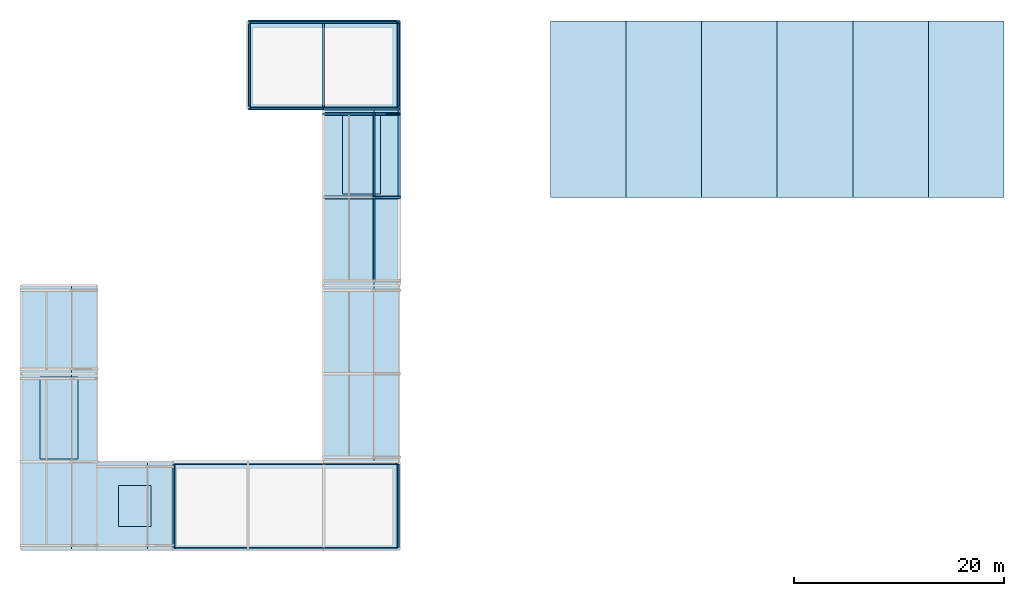
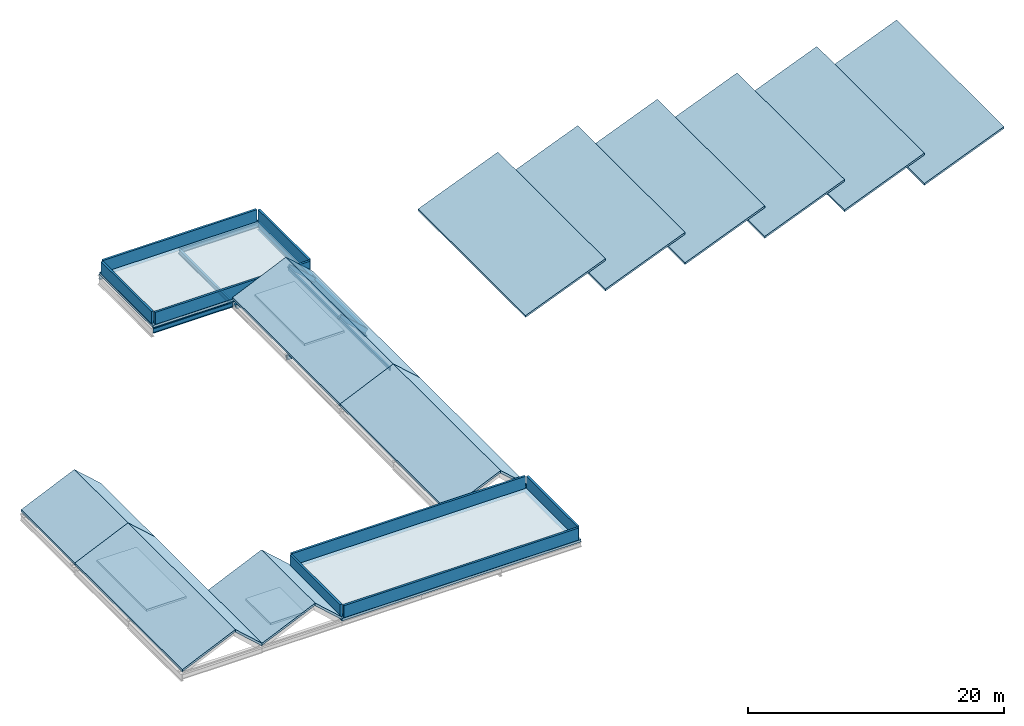
# One storey, part 2 of 3: 21 slabs, 8 beams, 8 walls, 6 members.
"""IFC4 building model written with IfcOpenShell, lengths in metres."""

from ifc_helpers import new_model, si_unit, direction, frame, frame_2d, origin, origin_2d, place, context, subcontext, project, spatial, polyline, rectangle, hollow_rectangle, i_section, outline, extrude, material, layer, layer_set, material_profile, profile_set, type_object, element, save


model = new_model("IFC4")

# Units and contexts
model_context = context("Model", 3, precision=1e-05, world=origin(), true_north=direction((0.0, 1.0)))
body_context = subcontext(model_context, "Body", "Model", "MODEL_VIEW")
ifc_project = project(units=[si_unit("LENGTHUNIT", "METRE"), si_unit("AREAUNIT", "SQUARE_METRE"), si_unit("VOLUMEUNIT", "CUBIC_METRE"), si_unit("PLANEANGLEUNIT", "RADIAN"), si_unit("MASSUNIT", "GRAM", prefix="KILO")], contexts=[model_context])

# Site, building, storey
site_placement = place(None, origin())
site = spatial("IfcSite", under=ifc_project, at=site_placement, CompositionType="ELEMENT")
building_placement = place(site_placement, origin())
building = spatial("IfcBuilding", under=site, at=building_placement, Name="Qelthora Terrace Specialist Clinic", CompositionType="ELEMENT")
storey_placement = place(building_placement, frame((0.0, 0.0, 25.800048828125)))
storey = spatial("IfcBuildingStorey", under=building, at=storey_placement, Name="Roof", CompositionType="ELEMENT", Elevation=25.800048828125)

# Beams
ifc_material_1 = material(Name="Steel S355", Category="steel")
ifc_material_profile_1 = material_profile(ifc_material_1, i_section(OverallWidth=0.178955078125, OverallDepth=0.409912109375, WebThickness=0.0087890625, FlangeThickness=0.014404296875, FilletRadius=0.011962890625, at=origin_2d()), Name="W410X67")
ifc_profile_set_1 = profile_set([ifc_material_profile_1], Name="Steel S355")
beam_type_1 = type_object("IfcBeamType", Name="BM-W410X67", PredefinedType="BEAM", material=ifc_profile_set_1)
beam_1_placement = place(storey_placement, frame((36.0, 100.800048828125, -0.455078125), z_axis=(1.0, 0.0, 0.0), x_axis=(0.0, 1.0, 0.0)))
element("IfcBeam", 1, at=beam_1_placement, inside=storey, type_object=beam_type_1, Name="Girder BMX-Roof-1410", PredefinedType="BEAM", context=body_context, shape_type="SweptSolid", body=[
    extrude(i_section(OverallWidth=0.178955078125, OverallDepth=0.409912109375, WebThickness=0.0087890625, FlangeThickness=0.014404296875, FilletRadius=0.011962890625, at=origin_2d()), origin(), (0.0, 0.0, 1.0), 7.199951171875),
])
ifc_material_profile_2 = material_profile(ifc_material_1, i_section(OverallWidth=0.19091796875, OverallDepth=0.4599609375, WebThickness=0.010009765625, FlangeThickness=0.01611328125, FilletRadius=0.012939453125, at=origin_2d()), Name="W460X82")
ifc_profile_set_2 = profile_set([ifc_material_profile_2], Name="Steel S355")
beam_type_2 = type_object("IfcBeamType", Name="BM-W460X82", PredefinedType="BEAM", material=ifc_profile_set_2)
for number, where, z_axis, x_axis, name in (
    (2, (36.0, 92.39990234375, -0.47998046875), (1.0, 0.0, 0.0), (0.0, 1.0, 0.0), "Girder BMX-Roof-1408"),
    (3, (28.800048828125, 100.800048828125, -0.47998046875), (1.0, 0.0, 0.0), (0.0, 1.0, 0.0), "Girder BMX-Roof-1409"),
):
    element("IfcBeam", number, at=place(storey_placement, frame(where, z_axis=z_axis, x_axis=x_axis)), inside=storey, type_object=beam_type_2, Name=name, PredefinedType="BEAM", context=body_context, shape_type="SweptSolid", body=[
        extrude(i_section(OverallWidth=0.19091796875, OverallDepth=0.4599609375, WebThickness=0.010009765625, FlangeThickness=0.01611328125, FilletRadius=0.012939453125, at=origin_2d()), origin(), (0.0, 0.0, 1.0), 7.199951171875),
    ])
ifc_material_profile_3 = material_profile(ifc_material_1, i_section(OverallWidth=0.193115234375, OverallDepth=0.466064453125, WebThickness=0.011474609375, FlangeThickness=0.01904296875, FilletRadius=0.012939453125, at=origin_2d()), Name="W460X97")
ifc_profile_set_3 = profile_set([ifc_material_profile_3], Name="Steel S355")
beam_type_3 = type_object("IfcBeamType", Name="BM-W460X97", PredefinedType="BEAM", material=ifc_profile_set_3)
beam_2_placement = place(storey_placement, frame((36.0, 100.800048828125, -0.483154296875), z_axis=(0.0, 1.0, 0.0), x_axis=(-1.0, 0.0, 0.0)))
element("IfcBeam", 4, at=beam_2_placement, inside=storey, type_object=beam_type_3, Name="Girder BMY-Roof-1427", PredefinedType="BEAM", context=body_context, shape_type="SweptSolid", body=[
    extrude(i_section(OverallWidth=0.193115234375, OverallDepth=0.466064453125, WebThickness=0.011474609375, FlangeThickness=0.01904296875, FilletRadius=0.012939453125, at=origin_2d()), origin(), (0.0, 0.0, 1.0), 8.39990234375),
])
ifc_material_profile_4 = material_profile(ifc_material_1, i_section(OverallWidth=0.256103515625, OverallDepth=0.693115234375, WebThickness=0.014404296875, FlangeThickness=0.023681640625, FilletRadius=0.01806640625, at=origin_2d()), Name="W690X170")
ifc_profile_set_4 = profile_set([ifc_material_profile_4], Name="Steel S355")
beam_type_4 = type_object("IfcBeamType", Name="BM-W690X170", PredefinedType="BEAM", material=ifc_profile_set_4)
beam_3_placement = place(storey_placement, frame((43.199951171875, 100.800048828125, -0.596435546875), z_axis=(0.0, 1.0, 0.0), x_axis=(-1.0, 0.0, 0.0)))
element("IfcBeam", 5, at=beam_3_placement, inside=storey, type_object=beam_type_4, Name="Girder BMY-Roof-1433", PredefinedType="BEAM", context=body_context, shape_type="SweptSolid", body=[
    extrude(i_section(OverallWidth=0.256103515625, OverallDepth=0.693115234375, WebThickness=0.014404296875, FlangeThickness=0.023681640625, FilletRadius=0.01806640625, at=origin_2d()), origin(), (0.0, 0.0, 1.0), 8.39990234375),
])
ifc_material_profile_5 = material_profile(ifc_material_1, i_section(OverallWidth=0.26806640625, OverallDepth=0.77001953125, WebThickness=0.015625, FlangeThickness=0.025390625, FilletRadius=0.01904296875, at=origin_2d()), Name="W760X196")
ifc_profile_set_5 = profile_set([ifc_material_profile_5], Name="Steel S355")
beam_type_5 = type_object("IfcBeamType", Name="BM-W760X196", PredefinedType="BEAM", material=ifc_profile_set_5)
beam_4_placement = place(storey_placement, frame((43.199951171875, 92.39990234375, -0.635009765625), z_axis=(0.0, 1.0, 0.0), x_axis=(-1.0, 0.0, 0.0)))
element("IfcBeam", 6, at=beam_4_placement, inside=storey, type_object=beam_type_5, Name="Girder BMY-Roof-1432", PredefinedType="BEAM", context=body_context, shape_type="SweptSolid", body=[
    extrude(i_section(OverallWidth=0.26806640625, OverallDepth=0.77001953125, WebThickness=0.015625, FlangeThickness=0.025390625, FilletRadius=0.01904296875, at=origin_2d()), origin(), (0.0, 0.0, 1.0), 8.400146484375),
])

# Members
ifc_material_profile_6 = material_profile(ifc_material_1, hollow_rectangle(XDim=0.300048828125, YDim=0.300048828125, WallThickness=0.011962890625, at=origin_2d()), Name="HSS300X300X12")
ifc_profile_set_6 = profile_set([ifc_material_profile_6], Name="Steel S355")
member_type_1 = type_object("IfcMemberType", Name="MEM-CHORD-HSS300", PredefinedType="CHORD", material=ifc_profile_set_6)
for number, where, z_axis, x_axis, name in (
    (7, (36.0, 92.39990234375, -0.449951171875), (1.0, 0.0, 0.0), (0.0, 1.0, 0.0), "Gable steel bottom tie chord V5G-026"),
    (8, (36.0, 100.35009765625, -0.449951171875), (1.0, 0.0, 0.0), (0.0, 1.0, 0.0), "Gable steel bottom tie chord V5G-027"),
):
    element("IfcMember", number, at=place(storey_placement, frame(where, z_axis=z_axis, x_axis=x_axis)), inside=storey, type_object=member_type_1, Name=name, PredefinedType="CHORD", context=body_context, shape_type="SweptSolid", body=[
        extrude(hollow_rectangle(XDim=0.300048828125, YDim=0.300048828125, WallThickness=0.011962890625, at=origin_2d()), origin(), (0.0, 0.0, 1.0), 7.199951171875),
    ])
ifc_material_2 = material(Name="Glulam timber GL28h", Category="wood")
ifc_material_profile_7 = material_profile(ifc_material_2, rectangle(XDim=0.139892578125, YDim=0.280029296875, at=origin_2d()), Name="GL140X280")
ifc_profile_set_7 = profile_set([ifc_material_profile_7], Name="Glulam timber GL28h")
member_type_2 = type_object("IfcMemberType", Name="MEM-PURLIN-GL280", PredefinedType="PURLIN", material=ifc_profile_set_7)
member_1_placement = place(storey_placement, frame((40.800048828125, 84.449951171875, 1.530029296875), z_axis=(0.0, 1.0, 0.0), x_axis=(-1.0, 0.0, 0.0)))
element("IfcMember", 9, at=member_1_placement, inside=storey, type_object=member_type_2, Name="Glulam roof purlin GPRL-050", PredefinedType="PURLIN", context=body_context, shape_type="SweptSolid", body=[
    extrude(rectangle(XDim=0.139892578125, YDim=0.280029296875, at=origin_2d()), origin(), (0.0, 0.0, 1.0), 15.900146484375),
])
ifc_material_profile_8 = material_profile(ifc_material_2, rectangle(XDim=0.159912109375, YDim=0.360107421875, at=origin_2d()), Name="GL160X360")
ifc_profile_set_8 = profile_set([ifc_material_profile_8], Name="Glulam timber GL28h")
member_type_3 = type_object("IfcMemberType", Name="MEM-RAFTER-GL360", PredefinedType="RAFTER", material=ifc_profile_set_8)
member_2_placement = place(storey_placement, frame((40.800048828125, 100.35009765625, 1.75), z_axis=(0.737147914617, 0.0, -0.675731420001), x_axis=(0.0, 1.0, 0.0)))
element("IfcMember", 10, at=member_2_placement, inside=storey, type_object=member_type_3, Name="Glulam gable rafter V5G-027E", PredefinedType="RAFTER", context=body_context, shape_type="SweptSolid", body=[
    extrude(rectangle(XDim=0.159912109375, YDim=0.360107421875, at=origin_2d()), origin(), (0.0, 0.0, 1.0), 3.255615234375),
])
ifc_material_profile_9 = material_profile(ifc_material_2, rectangle(XDim=0.179931640625, YDim=0.419921875, at=origin_2d()), Name="GL180X420")
ifc_profile_set_9 = profile_set([ifc_material_profile_9], Name="Glulam timber GL28h")
member_type_4 = type_object("IfcMemberType", Name="MEM-RAFTER-GL420", PredefinedType="RAFTER", material=ifc_profile_set_9)
member_3_placement = place(storey_placement, frame((40.800048828125, 92.39990234375, 1.75), z_axis=(0.737147914617, 0.0, -0.675731420001), x_axis=(0.0, 1.0, 0.0)))
element("IfcMember", 11, at=member_3_placement, inside=storey, type_object=member_type_4, Name="Glulam gable rafter V5G-026E", PredefinedType="RAFTER", context=body_context, shape_type="SweptSolid", body=[
    extrude(rectangle(XDim=0.179931640625, YDim=0.419921875, at=origin_2d()), origin(), (0.0, 0.0, 1.0), 3.255615234375),
])
ifc_material_profile_10 = material_profile(ifc_material_2, rectangle(XDim=0.199951171875, YDim=0.47998046875, at=origin_2d()), Name="GL200X480")
ifc_profile_set_10 = profile_set([ifc_material_profile_10], Name="Glulam timber GL28h")
member_type_5 = type_object("IfcMemberType", Name="MEM-RAFTER-GL480", PredefinedType="RAFTER", material=ifc_profile_set_10)
member_4_placement = place(storey_placement, frame((36.0, 100.35009765625, -0.449951171875), z_axis=(0.909069930811, 0.0, 0.416643565767), x_axis=(0.0, 1.0, 0.0)))
element("IfcMember", 12, at=member_4_placement, inside=storey, type_object=member_type_5, Name="Glulam gable rafter V5G-027W", PredefinedType="RAFTER", context=body_context, shape_type="SweptSolid", body=[
    extrude(rectangle(XDim=0.199951171875, YDim=0.47998046875, at=origin_2d()), origin(), (0.0, 0.0, 1.0), 5.2802734375),
])

# Beams
ifc_material_profile_11 = material_profile(ifc_material_1, i_section(OverallWidth=0.19091796875, OverallDepth=0.4599609375, WebThickness=0.010009765625, FlangeThickness=0.01611328125, FilletRadius=0.012939453125, at=origin_2d()), Name="W460X82")
ifc_profile_set_11 = profile_set([ifc_material_profile_11], Name="Steel S355")
beam_type_6 = type_object("IfcBeamType", Name="SPD-W460X82", PredefinedType="SPANDREL", material=ifc_profile_set_11)
for number, where, z_axis, x_axis, name in (
    (13, (28.800048828125, 109.199951171875, -0.47998046875), (1.0, 0.0, 0.0), (0.0, 1.0, 0.0), "Girder BMX-Roof-1411"),
    (14, (36.0, 109.199951171875, -0.47998046875), (1.0, 0.0, 0.0), (0.0, 1.0, 0.0), "Girder BMX-Roof-1412"),
):
    element("IfcBeam", number, at=place(storey_placement, frame(where, z_axis=z_axis, x_axis=x_axis)), inside=storey, type_object=beam_type_6, Name=name, PredefinedType="SPANDREL", context=body_context, shape_type="SweptSolid", body=[
        extrude(i_section(OverallWidth=0.19091796875, OverallDepth=0.4599609375, WebThickness=0.010009765625, FlangeThickness=0.01611328125, FilletRadius=0.012939453125, at=origin_2d()), origin(), (0.0, 0.0, 1.0), 7.199951171875),
    ])

# Slabs
ifc_material_3 = material(Name="Concrete C30/37", Category="concrete")
ifc_layer_1 = layer(ifc_material_3, 0.22509765625)
ifc_layer_set_1 = layer_set([ifc_layer_1], Name="Concrete C30/37")
slab_type_1 = type_object("IfcSlabType", Name="SLB-ROOF-170-ZINC", PredefinedType="ROOF", material=ifc_layer_set_1)
for number, where, z_axis, x_axis, name in (
    (15, (57.60009765625, 92.39990234375, -4.2333984375), (-0.374710982538, 0.0, 0.927141671788), (0.927141671788, 0.0, 0.374710982538), "V6 north-light sawtooth roof slope 1"),
    (16, (64.800048828125, 92.39990234375, -4.2333984375), (-0.374710982538, 0.0, 0.927141671788), (0.927141671788, 0.0, 0.374710982538), "V6 north-light sawtooth roof slope 2"),
    (17, (72.0, 92.39990234375, -4.2333984375), (-0.374710982538, 0.0, 0.927141671788), (0.927141671788, 0.0, 0.374710982538), "V6 north-light sawtooth roof slope 3"),
    (18, (79.199951171875, 92.39990234375, -4.2333984375), (-0.374710982538, 0.0, 0.927141671788), (0.927141671788, 0.0, 0.374710982538), "V6 north-light sawtooth roof slope 4"),
):
    element("IfcSlab", number, at=place(storey_placement, frame(where, z_axis=z_axis, x_axis=x_axis)), inside=storey, type_object=slab_type_1, Name=name, PredefinedType="ROOF", context=body_context, shape_type="SweptSolid", body=[
        extrude(outline(polyline([(0.0, 0.0), (7.765750791885576, 0.0), (7.765750791885576, 16.800048828125), (0.0, 16.800048828125), (0.0, 0.0)])), origin(), (0.374710982538, 0.0, 0.927141671788), 0.183349609375),
    ])
slab_1_placement = place(storey_placement, frame((86.39990234375, 92.39990234375, -4.2333984375), z_axis=(-0.374700060907, 0.0, 0.927146085769), x_axis=(0.927146085769, 0.0, 0.374700060907)))
element("IfcSlab", 19, at=slab_1_placement, inside=storey, type_object=slab_type_1, Name="V6 north-light sawtooth roof slope 5", PredefinedType="ROOF", context=body_context, shape_type="SweptSolid", body=[
    extrude(outline(polyline([(0.0, 0.0), (7.765977145371614, 0.0), (7.765977145371614, 16.800048828125), (0.0, 16.800048828125), (0.0, 0.0)])), origin(), (0.374700060907, 0.0, 0.927146085769), 0.183349609375),
])
slab_2_placement = place(storey_placement, frame((93.60009765625, 92.39990234375, -4.2333984375), z_axis=(-0.374710982538, 0.0, 0.927141671788), x_axis=(0.927141671788, 0.0, 0.374710982538)))
element("IfcSlab", 20, at=slab_2_placement, inside=storey, type_object=slab_type_1, Name="V6 north-light sawtooth roof slope 6", PredefinedType="ROOF", context=body_context, shape_type="SweptSolid", body=[
    extrude(outline(polyline([(0.0, 0.0), (7.765750791885576, 0.0), (7.765750791885576, 16.800048828125), (0.0, 16.800048828125), (0.0, 0.0)])), origin(), (0.374710982538, 0.0, 0.927141671788), 0.183349609375),
])
ifc_layer_2 = layer(ifc_material_3, 0.235107421875)
ifc_layer_set_2 = layer_set([ifc_layer_2], Name="Concrete C30/37")
slab_type_2 = type_object("IfcSlabType", Name="SLB-ROOF-190-ZINC", PredefinedType="ROOF", material=ifc_layer_set_2)
slab_3_placement = place(storey_placement, frame((7.199951171875, 58.800048828125, -0.038330078125), z_axis=(-0.408802657884, 0.0, 0.91262280648), x_axis=(0.91262280648, 0.0, 0.408802657884)))
element("IfcSlab", 21, at=slab_3_placement, inside=storey, type_object=slab_type_2, Name="Gable GV5_1 west standing-seam roof slope", PredefinedType="ROOF", context=body_context, shape_type="SweptSolid", body=[
    extrude(outline(polyline([(0.0, 0.0), (5.259619630415717, 0.0), (5.259619630415717, 16.800048828125), (0.0, 16.800048828125), (0.0, 0.0)])), origin(), (0.408802657884, 0.0, 0.91262280648), 0.208251953125),
])
slab_4_placement = place(storey_placement, frame((12.0, 58.800048828125, 2.06494140625), z_axis=(0.667288603706, 0.0, 0.744799247693), x_axis=(0.744799247693, 0.0, -0.667288603706)))
element("IfcSlab", 22, at=slab_4_placement, inside=storey, type_object=slab_type_2, Name="Gable GV5_1 east standing-seam roof slope", PredefinedType="ROOF", context=body_context, shape_type="SweptSolid", body=[
    extrude(outline(polyline([(0.0, 0.0), (3.2222137054836875, 0.0), (3.2222137054836875, 16.800048828125), (0.0, 16.800048828125), (0.0, 0.0)])), origin(), (-0.667288603706, 0.0, 0.744799247693), 0.255126953125),
])
slab_5_placement = place(storey_placement, frame((7.199951171875, 75.60009765625, -0.038330078125), z_axis=(-0.408802657884, 0.0, 0.91262280648), x_axis=(0.91262280648, 0.0, 0.408802657884)))
element("IfcSlab", 23, at=slab_5_placement, inside=storey, type_object=slab_type_2, Name="Gable GV5_2 west standing-seam roof slope", PredefinedType="ROOF", context=body_context, shape_type="SweptSolid", body=[
    extrude(outline(polyline([(0.0, 0.0), (5.259619630415717, 0.0), (5.259619630415717, 8.399902343750002), (0.0, 8.399902343750002), (0.0, 0.0)])), origin(), (0.408802657884, 0.0, 0.91262280648), 0.208251953125),
])
slab_6_placement = place(storey_placement, frame((12.0, 75.60009765625, 2.06494140625), z_axis=(0.667288603706, 0.0, 0.744799247693), x_axis=(0.744799247693, 0.0, -0.667288603706)))
element("IfcSlab", 24, at=slab_6_placement, inside=storey, type_object=slab_type_2, Name="Gable GV5_2 east standing-seam roof slope", PredefinedType="ROOF", context=body_context, shape_type="SweptSolid", body=[
    extrude(outline(polyline([(0.0, 0.0), (3.2222137054836875, 0.0), (3.2222137054836875, 8.39990234375), (0.0, 8.39990234375), (0.0, 0.0)])), origin(), (-0.667288603706, 0.0, 0.744799247693), 0.255126953125),
])
slab_7_placement = place(storey_placement, frame((14.39990234375, 58.800048828125, -0.038330078125), z_axis=(-0.408802657884, 0.0, 0.91262280648), x_axis=(0.91262280648, 0.0, 0.408802657884)))
element("IfcSlab", 25, at=slab_7_placement, inside=storey, type_object=slab_type_2, Name="Gable GV5_3 west standing-seam roof slope", PredefinedType="ROOF", context=body_context, shape_type="SweptSolid", body=[
    extrude(outline(polyline([(0.0, 0.0), (5.259619630415717, 0.0), (5.259619630415717, 8.399902343750002), (0.0, 8.399902343750002), (0.0, 0.0)])), origin(), (0.408802657884, 0.0, 0.91262280648), 0.208251953125),
])
slab_8_placement = place(storey_placement, frame((19.199951171875, 58.800048828125, 2.06494140625), z_axis=(0.667250948591, 0.0, 0.744832982355), x_axis=(0.744832982355, 0.0, -0.667250948591)))
element("IfcSlab", 26, at=slab_8_placement, inside=storey, type_object=slab_type_2, Name="Gable GV5_3 east standing-seam roof slope", PredefinedType="ROOF", context=body_context, shape_type="SweptSolid", body=[
    extrude(outline(polyline([(0.0, 0.0), (3.222395545355636, 0.0), (3.222395545355636, 8.39990234375), (0.0, 8.39990234375), (0.0, 0.0)])), origin(), (-0.667250948591, 0.0, 0.744832982355), 0.255126953125),
])
slab_9_placement = place(storey_placement, frame((36.0, 67.199951171875, -0.038330078125), z_axis=(-0.408802657884, 0.0, 0.91262280648), x_axis=(0.91262280648, 0.0, 0.408802657884)))
element("IfcSlab", 27, at=slab_9_placement, inside=storey, type_object=slab_type_2, Name="Gable GV5_4 west standing-seam roof slope", PredefinedType="ROOF", context=body_context, shape_type="SweptSolid", body=[
    extrude(outline(polyline([(0.0, 0.0), (5.259619630415717, 0.0), (5.259619630415717, 16.800048828125), (0.0, 16.800048828125), (0.0, 0.0)])), origin(), (0.408802657884, 0.0, 0.91262280648), 0.208251953125),
])
slab_10_placement = place(storey_placement, frame((40.800048828125, 67.199951171875, 2.06494140625), z_axis=(0.667288603706, 0.0, 0.744799247693), x_axis=(0.744799247693, 0.0, -0.667288603706)))
element("IfcSlab", 28, at=slab_10_placement, inside=storey, type_object=slab_type_2, Name="Gable GV5_4 east standing-seam roof slope", PredefinedType="ROOF", context=body_context, shape_type="SweptSolid", body=[
    extrude(outline(polyline([(0.0, 0.0), (3.2222137054836875, 0.0), (3.2222137054836875, 16.800048828125), (0.0, 16.800048828125), (0.0, 0.0)])), origin(), (-0.667288603706, 0.0, 0.744799247693), 0.255126953125),
])
slab_11_placement = place(storey_placement, frame((36.0, 84.0, -0.038330078125), z_axis=(-0.408802657884, 0.0, 0.91262280648), x_axis=(0.91262280648, 0.0, 0.408802657884)))
element("IfcSlab", 29, at=slab_11_placement, inside=storey, type_object=slab_type_2, Name="Gable GV5_5 west standing-seam roof slope", PredefinedType="ROOF", context=body_context, shape_type="SweptSolid", body=[
    extrude(outline(polyline([(0.0, 0.0), (5.259619630415717, 0.0), (5.259619630415717, 16.800048828125), (0.0, 16.800048828125), (0.0, 0.0)])), origin(), (0.408802657884, 0.0, 0.91262280648), 0.208251953125),
])
slab_12_placement = place(storey_placement, frame((40.800048828125, 84.0, 2.06494140625), z_axis=(0.667288603706, 0.0, 0.744799247693), x_axis=(0.744799247693, 0.0, -0.667288603706)))
element("IfcSlab", 30, at=slab_12_placement, inside=storey, type_object=slab_type_2, Name="Gable GV5_5 east standing-seam roof slope", PredefinedType="ROOF", context=body_context, shape_type="SweptSolid", body=[
    extrude(outline(polyline([(0.0, 0.0), (3.2222137054836875, 0.0), (3.2222137054836875, 16.800048828125), (0.0, 16.800048828125), (0.0, 0.0)])), origin(), (-0.667288603706, 0.0, 0.744799247693), 0.255126953125),
])
slab_13_placement = place(storey_placement, frame((0.0, 0.0, -0.235107421875)))
element("IfcSlab", 31, at=slab_13_placement, inside=storey, type_object=slab_type_2, Name="V5 north nurse-link and core roof slab", PredefinedType="ROOF", context=body_context, shape_type="SweptSolid", body=[
    extrude(outline(polyline([(28.800048828125, 100.800048828125), (43.199951171875, 100.800048828125), (43.199951171875, 109.199951171875), (28.800048828125, 109.199951171875), (28.800048828125, 100.800048828125)])), origin(), (0.0, 0.0, 1.0), 0.235107421875),
])
slab_14_placement = place(storey_placement, frame((0.0, 0.0, -0.235107421875)))
element("IfcSlab", 32, at=slab_14_placement, inside=storey, type_object=slab_type_2, Name="V5 south nurse-link and core roof slab", PredefinedType="ROOF", context=body_context, shape_type="SweptSolid", body=[
    extrude(outline(polyline([(21.60009765625, 58.800048828125), (43.199951171875, 58.800048828125), (43.199951171875, 67.199951171875), (21.60009765625, 67.199951171875), (21.60009765625, 58.800048828125)])), origin(), (0.0, 0.0, 1.0), 0.235107421875),
])
ifc_material_4 = material(Name="Concrete C40/50", Category="concrete")
ifc_layer_3 = layer(ifc_material_4, 0.199951171875)
ifc_layer_set_3 = layer_set([ifc_layer_3], Name="Concrete C40/50")
slab_type_3 = type_object("IfcSlabType", Name="SLB-SHAFTR-200-C40", PredefinedType="ROOF", material=ifc_layer_set_3)
slab_15_placement = place(storey_placement, frame((0.0, 0.0, -0.199951171875)))
element("IfcSlab", 33, at=slab_15_placement, inside=storey, type_object=slab_type_3, Name="ST-01 core roof slab", PredefinedType="ROOF", context=body_context, shape_type="SweptSolid", body=[
    extrude(outline(polyline([(9.0, 67.5), (12.60009765625, 67.5), (12.60009765625, 75.300048828125), (9.0, 75.300048828125), (9.0, 67.5)])), origin(), (0.0, 0.0, 1.0), 0.199951171875),
])
slab_16_placement = place(storey_placement, frame((0.0, 0.0, -0.199951171875)))
element("IfcSlab", 34, at=slab_16_placement, inside=storey, type_object=slab_type_3, Name="ST-02 core roof slab", PredefinedType="ROOF", context=body_context, shape_type="SweptSolid", body=[
    extrude(outline(polyline([(37.800048828125, 92.699951171875), (41.39990234375, 92.699951171875), (41.39990234375, 100.5), (37.800048828125, 100.5), (37.800048828125, 92.699951171875)])), origin(), (0.0, 0.0, 1.0), 0.199951171875),
])
slab_17_placement = place(storey_placement, frame((0.0, 0.0, -0.199951171875)))
element("IfcSlab", 35, at=slab_17_placement, inside=storey, type_object=slab_type_3, Name="Lift SL-01 shaft overrun roof lid", PredefinedType="ROOF", context=body_context, shape_type="SweptSolid", body=[
    extrude(outline(polyline([(16.449951171875, 61.050048828125), (19.550048828125, 61.050048828125), (19.550048828125, 64.949951171875), (16.449951171875, 64.949951171875), (16.449951171875, 61.050048828125)])), origin(), (0.0, 0.0, 1.0), 0.199951171875),
])

# Walls
ifc_material_5 = material(Name="Precast concrete C40/50", Category="concrete")
ifc_layer_4 = layer(ifc_material_5, 0.18994140625)
ifc_layer_set_4 = layer_set([ifc_layer_4], Name="Precast concrete C40/50")
wall_type = type_object("IfcWallType", Name="WAL-PAR-190-PC40", PredefinedType="PARAPET", material=ifc_layer_set_4)
wall_1_placement = place(storey_placement, frame((29.02001953125, 100.909912109375, 0.0), z_axis=(0.0, 0.0, 1.0), x_axis=(1.0, 0.0, 0.0)))
element("IfcWall", 36, at=wall_1_placement, inside=storey, type_object=wall_type, Name="Roof perimeter parapet ROOF-V5-LINK1-1", PredefinedType="PARAPET", context=body_context, shape_type="SweptSolid", body=[
    extrude(rectangle(XDim=13.9599609375, YDim=0.18994140625, at=frame_2d((6.97998046875, 0.0))), origin(), (0.0, 0.0, 1.0), 1.14990234375),
])
wall_2_placement = place(storey_placement, frame((43.090087890625, 101.076904296875, 0.0), z_axis=(0.0, 0.0, 1.0), x_axis=(0.0, 1.0, 0.0)))
element("IfcWall", 37, at=wall_2_placement, inside=storey, type_object=wall_type, Name="Roof perimeter parapet ROOF-V5-LINK1-2", PredefinedType="PARAPET", context=body_context, shape_type="SweptSolid", body=[
    extrude(rectangle(XDim=7.903076171875, YDim=0.18994140625, at=frame_2d((3.95166015625, 0.0))), origin(), (0.0, 0.0, 1.0), 1.14990234375),
])
wall_3_placement = place(storey_placement, frame((42.923095703125, 109.090087890625, 0.0), z_axis=(0.0, 0.0, 1.0), x_axis=(-1.0, 0.0, 0.0)))
element("IfcWall", 38, at=wall_3_placement, inside=storey, type_object=wall_type, Name="Roof perimeter parapet ROOF-V5-LINK1-3", PredefinedType="PARAPET", context=body_context, shape_type="SweptSolid", body=[
    extrude(rectangle(XDim=13.903076171875, YDim=0.18994140625, at=frame_2d((6.95166015625, 0.0))), origin(), (0.0, 0.0, 1.0), 1.14990234375),
])
wall_4_placement = place(storey_placement, frame((28.909912109375, 108.923095703125, 0.0), z_axis=(0.0, 0.0, 1.0), x_axis=(0.0, -1.0, 0.0)))
element("IfcWall", 39, at=wall_4_placement, inside=storey, type_object=wall_type, Name="Roof perimeter parapet ROOF-V5-LINK1-4", PredefinedType="PARAPET", context=body_context, shape_type="SweptSolid", body=[
    extrude(rectangle(XDim=7.84619140625, YDim=0.18994140625, at=frame_2d((3.923095703125, 0.0))), origin(), (0.0, 0.0, 1.0), 1.14990234375),
])
wall_5_placement = place(storey_placement, frame((21.820068359375, 58.909912109375, 0.0), z_axis=(0.0, 0.0, 1.0), x_axis=(1.0, 0.0, 0.0)))
element("IfcWall", 40, at=wall_5_placement, inside=storey, type_object=wall_type, Name="Roof perimeter parapet ROOF-V5-LINK2-1", PredefinedType="PARAPET", context=body_context, shape_type="SweptSolid", body=[
    extrude(rectangle(XDim=21.159912109375, YDim=0.18994140625, at=frame_2d((10.580078125, 0.0))), origin(), (0.0, 0.0, 1.0), 1.14990234375),
])
wall_6_placement = place(storey_placement, frame((43.090087890625, 59.076904296875, 0.0), z_axis=(0.0, 0.0, 1.0), x_axis=(0.0, 1.0, 0.0)))
element("IfcWall", 41, at=wall_6_placement, inside=storey, type_object=wall_type, Name="Roof perimeter parapet ROOF-V5-LINK2-2", PredefinedType="PARAPET", context=body_context, shape_type="SweptSolid", body=[
    extrude(rectangle(XDim=7.903076171875, YDim=0.18994140625, at=frame_2d((3.95166015625, 0.0))), origin(), (0.0, 0.0, 1.0), 1.14990234375),
])
wall_7_placement = place(storey_placement, frame((42.923095703125, 67.090087890625, 0.0), z_axis=(0.0, 0.0, 1.0), x_axis=(-1.0, 0.0, 0.0)))
element("IfcWall", 42, at=wall_7_placement, inside=storey, type_object=wall_type, Name="Roof perimeter parapet ROOF-V5-LINK2-3", PredefinedType="PARAPET", context=body_context, shape_type="SweptSolid", body=[
    extrude(rectangle(XDim=21.10302734375, YDim=0.18994140625, at=frame_2d((10.551513671875, 0.0))), origin(), (0.0, 0.0, 1.0), 1.14990234375),
])
wall_8_placement = place(storey_placement, frame((21.7099609375, 66.923095703125, 0.0), z_axis=(0.0, 0.0, 1.0), x_axis=(0.0, -1.0, 0.0)))
element("IfcWall", 43, at=wall_8_placement, inside=storey, type_object=wall_type, Name="Roof perimeter parapet ROOF-V5-LINK2-4", PredefinedType="PARAPET", context=body_context, shape_type="SweptSolid", body=[
    extrude(rectangle(XDim=7.84619140625, YDim=0.18994140625, at=frame_2d((3.923095703125, 0.0))), origin(), (0.0, 0.0, 1.0), 1.14990234375),
])

save(model, "model.ifc")
